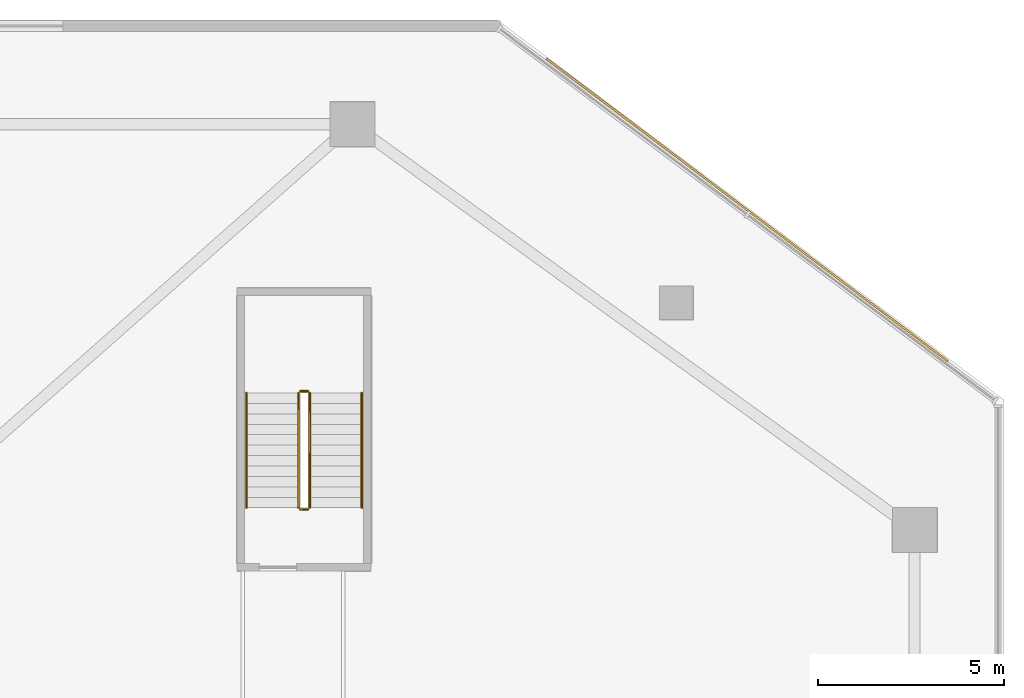
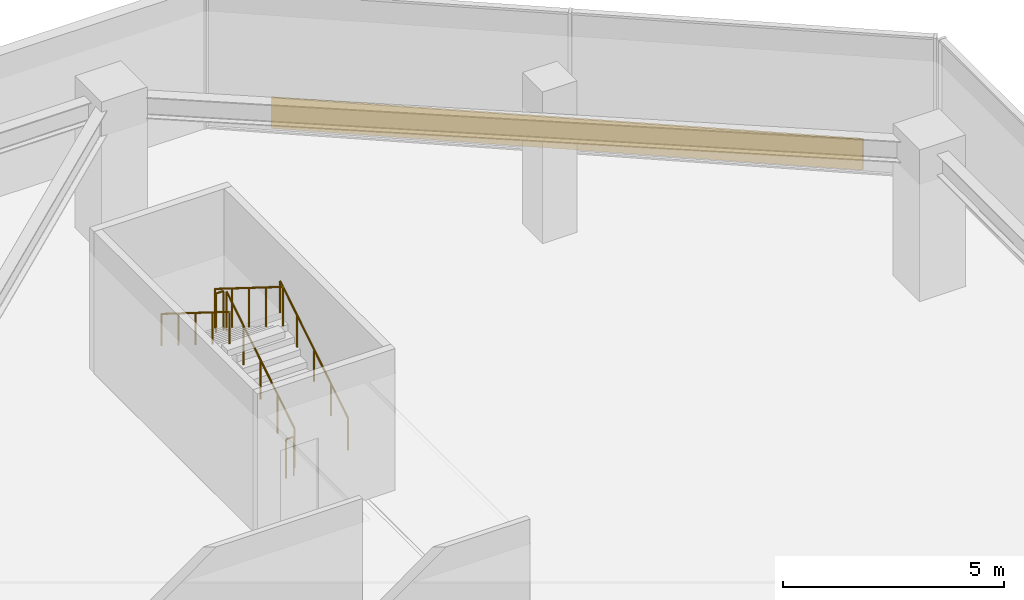
# One storey, part 20 of 21: 6 railings, 1 covering.
"""IFC4 building model written with IfcOpenShell, lengths in metres."""

from ifc_helpers import new_model, si_unit, direction, frame, origin, origin_2d, place, context, subcontext, project, spatial, rectangle, circle, extrude, material, layer, layer_set, type_object, element, save


model = new_model("IFC4")

# Units and contexts
model_context = context("Model", 3, precision=1e-05, world=origin(), true_north=direction((0.0, 1.0)))
body_context = subcontext(model_context, "Body", "Model", "MODEL_VIEW")
ifc_project = project(units=[si_unit("LENGTHUNIT", "METRE"), si_unit("AREAUNIT", "SQUARE_METRE"), si_unit("VOLUMEUNIT", "CUBIC_METRE"), si_unit("PLANEANGLEUNIT", "RADIAN"), si_unit("MASSUNIT", "GRAM", prefix="KILO")], contexts=[model_context])

# Site, building, storey
site_placement = place(None, origin())
site = spatial("IfcSite", under=ifc_project, at=site_placement, CompositionType="ELEMENT")
building_placement = place(site_placement, origin())
building = spatial("IfcBuilding", under=site, at=building_placement, Name="Savorim Split Tower", CompositionType="ELEMENT")
storey_placement = place(building_placement, frame((0.0, 0.0, 9.199951171875)))
storey = spatial("IfcBuildingStorey", under=building, at=storey_placement, Name="L02", CompositionType="ELEMENT", Elevation=9.199951171875)

# Covering
ifc_material_1 = material(Name="Terracotta Ceramic-Coated Aluminium Fin", Category="masonry")
ifc_layer = layer(ifc_material_1, 0.050048828125)
ifc_layer_set = layer_set([ifc_layer], Name="COV-CLAD-TERRA")
covering_type = type_object("IfcCoveringType", Name="COV-CLAD-TERRA", PredefinedType="CLADDING", material=ifc_layer_set)
covering_placement = place(storey_placement, frame((34.10009765625, 23.10009765625, 0.02490234375), z_axis=(0.0, 0.0, 1.0), x_axis=(-0.798635510047, 0.601815023152, 0.0)))
element("IfcCovering", 1, at=covering_placement, inside=storey, type_object=covering_type, Name="L02 NE Podium Spandrel Cladding", PredefinedType="CLADDING", context=body_context, shape_type="SweptSolid", body=[
    extrude(rectangle(XDim=13.5, YDim=0.050048828125, at=origin_2d()), origin(), (0.0, 0.0, 1.0), 0.85009765625),
])

# Railings
ifc_material_2 = material(Name="Galvanised Painted Steel Balustrade", Category="steel")
railing_type_1 = type_object("IfcRailingType", Name="RLG-HR-900", PredefinedType="HANDRAIL", material=ifc_material_2)
railing_1_placement = place(storey_placement, frame((23.75, 15.10009765625, 0.175048828125)))
element("IfcRailing", 2, at=railing_1_placement, inside=storey, type_object=railing_type_1, Name="L02 ST-3 stair handrail 1", PredefinedType="HANDRAIL", context=body_context, shape_type="SweptSolid", body=[
    extrude(circle(Radius=0.02392578125, at=origin_2d()), frame((0.0, 0.0, 0.8759765625), z_axis=(0.0, 0.847979421464, 0.530029150871), x_axis=(-1.0, 0.0, 0.0)), (0.0, 0.0, 1.0), 3.632080078125),
    extrude(circle(Radius=0.02099609375, at=origin_2d()), origin(), (0.0, 0.0, 1.0), 0.851806640625),
    extrude(circle(Radius=0.02099609375, at=origin_2d()), frame((0.0, 0.77001953125, 0.481201171875)), (0.0, 0.0, 1.0), 0.851806640625),
    extrude(circle(Radius=0.02099609375, at=origin_2d()), frame((0.0, 1.5400390625, 0.96240234375)), (0.0, 0.0, 1.0), 0.851806640625),
    extrude(circle(Radius=0.02099609375, at=origin_2d()), frame((0.0, 2.309814453125, 1.44384765625)), (0.0, 0.0, 1.0), 0.851806640625),
    extrude(circle(Radius=0.02099609375, at=origin_2d()), frame((0.0, 3.079833984375, 1.925048828125)), (0.0, 0.0, 1.0), 0.851806640625),
])
railing_2_placement = place(storey_placement, frame((20.64990234375, 18.179931640625, 2.275146484375)))
element("IfcRailing", 3, at=railing_2_placement, inside=storey, type_object=railing_type_1, Name="L02 ST-3 stair handrail 2", PredefinedType="HANDRAIL", context=body_context, shape_type="SweptSolid", body=[
    extrude(circle(Radius=0.02392578125, at=origin_2d()), frame((0.0, 0.0, 0.8759765625), z_axis=(0.0, -0.848009633417, 0.529980812513), x_axis=(1.0, 0.0, 0.0)), (0.0, 0.0, 1.0), 3.6318359375),
    extrude(circle(Radius=0.02099609375, at=origin_2d()), origin(), (0.0, 0.0, 1.0), 0.851806640625),
    extrude(circle(Radius=0.02099609375, at=origin_2d()), frame((0.0, -0.77001953125, 0.481201171875)), (0.0, 0.0, 1.0), 0.851806640625),
    extrude(circle(Radius=0.02099609375, at=origin_2d()), frame((0.0, -1.5400390625, 0.96240234375)), (0.0, 0.0, 1.0), 0.851806640625),
    extrude(circle(Radius=0.02099609375, at=origin_2d()), frame((0.0, -2.309814453125, 1.443603515625)), (0.0, 0.0, 1.0), 0.851806640625),
    extrude(circle(Radius=0.02099609375, at=origin_2d()), frame((0.0, -3.079833984375, 1.9248046875)), (0.0, 0.0, 1.0), 0.851806640625),
])
railing_type_2 = type_object("IfcRailingType", Name="RLG-STG-1100", PredefinedType="BALUSTRADE", material=ifc_material_2)
railing_3_placement = place(storey_placement, frame((22.35009765625, 15.10009765625, 0.175048828125)))
element("IfcRailing", 4, at=railing_3_placement, inside=storey, type_object=railing_type_2, Name="L02 ST-3 stair guard 1", PredefinedType="BALUSTRADE", context=body_context, shape_type="SweptSolid", body=[
    extrude(circle(Radius=0.02392578125, at=origin_2d()), frame((0.0, 0.0, 1.076171875), z_axis=(0.0, 0.847979421464, 0.530029150871), x_axis=(-1.0, 0.0, 0.0)), (0.0, 0.0, 1.0), 3.632080078125),
    extrude(circle(Radius=0.02099609375, at=origin_2d()), origin(), (0.0, 0.0, 1.0), 1.052001953125),
    extrude(circle(Radius=0.02099609375, at=origin_2d()), frame((0.0, 0.77001953125, 0.481201171875)), (0.0, 0.0, 1.0), 1.052001953125),
    extrude(circle(Radius=0.02099609375, at=origin_2d()), frame((0.0, 1.5400390625, 0.96240234375)), (0.0, 0.0, 1.0), 1.052001953125),
    extrude(circle(Radius=0.02099609375, at=origin_2d()), frame((0.0, 2.309814453125, 1.44384765625)), (0.0, 0.0, 1.0), 1.052001953125),
    extrude(circle(Radius=0.02099609375, at=origin_2d()), frame((0.0, 3.079833984375, 1.925048828125)), (0.0, 0.0, 1.0), 1.052001953125),
])
railing_4_placement = place(storey_placement, frame((22.300048828125, 18.22998046875, 2.10009765625)))
element("IfcRailing", 5, at=railing_4_placement, inside=storey, type_object=railing_type_2, Name="L02 ST-3 stair guard 2", PredefinedType="BALUSTRADE", context=body_context, shape_type="SweptSolid", body=[
    extrude(circle(Radius=0.02392578125, at=origin_2d()), frame((0.0, 0.0, 1.076171875), z_axis=(-1.0, 0.0, 0.0), x_axis=(0.0, -1.0, 0.0)), (0.0, 0.0, 1.0), 0.199951171875),
    extrude(circle(Radius=0.02099609375, at=origin_2d()), origin(), (0.0, 0.0, 1.0), 1.052001953125),
    extrude(circle(Radius=0.02099609375, at=origin_2d()), frame((-0.199951171875, 0.0, 0.0)), (0.0, 0.0, 1.0), 1.052001953125),
])
railing_5_placement = place(storey_placement, frame((22.050048828125, 18.179931640625, 2.275146484375)))
element("IfcRailing", 6, at=railing_5_placement, inside=storey, type_object=railing_type_2, Name="L02 ST-3 stair guard 3", PredefinedType="BALUSTRADE", context=body_context, shape_type="SweptSolid", body=[
    extrude(circle(Radius=0.02392578125, at=origin_2d()), frame((0.0, 0.0, 1.076171875), z_axis=(0.0, -0.848009633417, 0.529980812513), x_axis=(1.0, 0.0, 0.0)), (0.0, 0.0, 1.0), 3.6318359375),
    extrude(circle(Radius=0.02099609375, at=origin_2d()), origin(), (0.0, 0.0, 1.0), 1.052001953125),
    extrude(circle(Radius=0.02099609375, at=origin_2d()), frame((0.0, -0.77001953125, 0.481201171875)), (0.0, 0.0, 1.0), 1.052001953125),
    extrude(circle(Radius=0.02099609375, at=origin_2d()), frame((0.0, -1.5400390625, 0.96240234375)), (0.0, 0.0, 1.0), 1.052001953125),
    extrude(circle(Radius=0.02099609375, at=origin_2d()), frame((0.0, -2.309814453125, 1.443603515625)), (0.0, 0.0, 1.0), 1.052001953125),
    extrude(circle(Radius=0.02099609375, at=origin_2d()), frame((0.0, -3.079833984375, 1.9248046875)), (0.0, 0.0, 1.0), 1.052001953125),
])
railing_6_placement = place(storey_placement, frame((22.300048828125, 15.050048828125, 0.0)))
element("IfcRailing", 7, at=railing_6_placement, inside=storey, type_object=railing_type_2, Name="L02 ST-3 stair guard 4", PredefinedType="BALUSTRADE", context=body_context, shape_type="SweptSolid", body=[
    extrude(circle(Radius=0.02392578125, at=origin_2d()), frame((0.0, 0.0, 1.076171875), z_axis=(-1.0, 0.0, 0.0), x_axis=(0.0, -1.0, 0.0)), (0.0, 0.0, 1.0), 0.199951171875),
    extrude(circle(Radius=0.02099609375, at=origin_2d()), origin(), (0.0, 0.0, 1.0), 1.052001953125),
    extrude(circle(Radius=0.02099609375, at=origin_2d()), frame((-0.199951171875, 0.0, 0.0)), (0.0, 0.0, 1.0), 1.052001953125),
])

save(model, "model.ifc")
